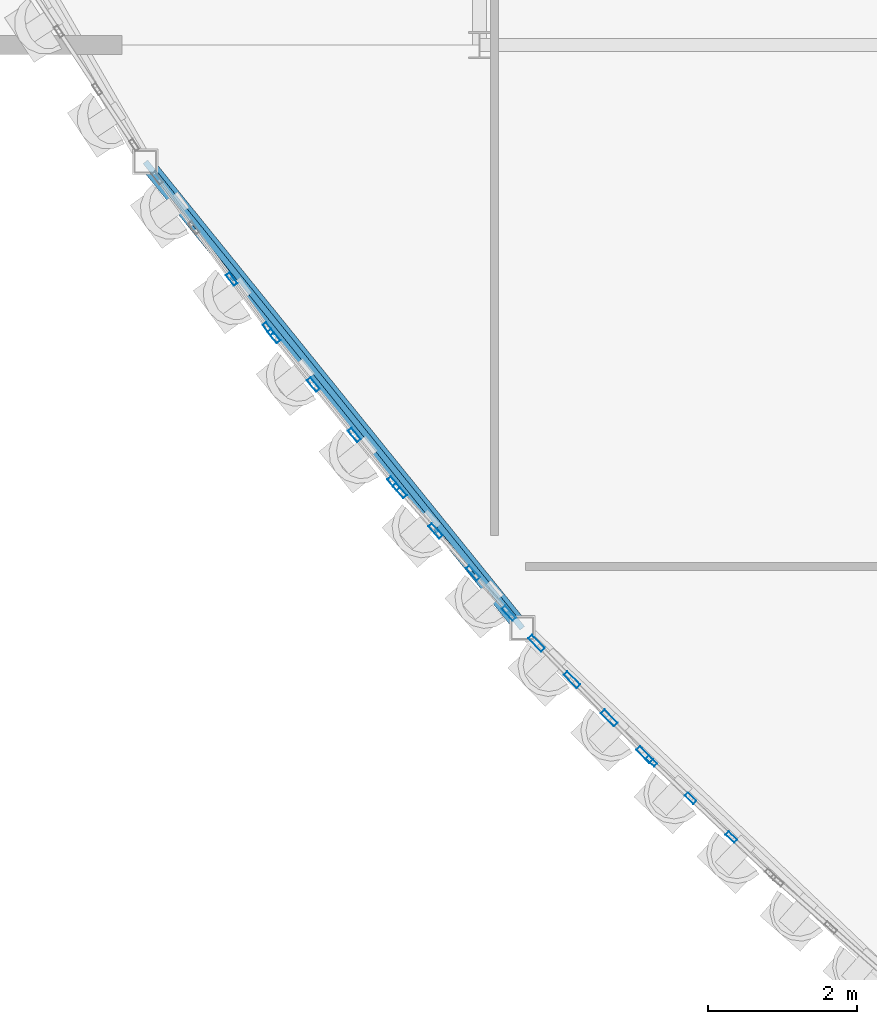
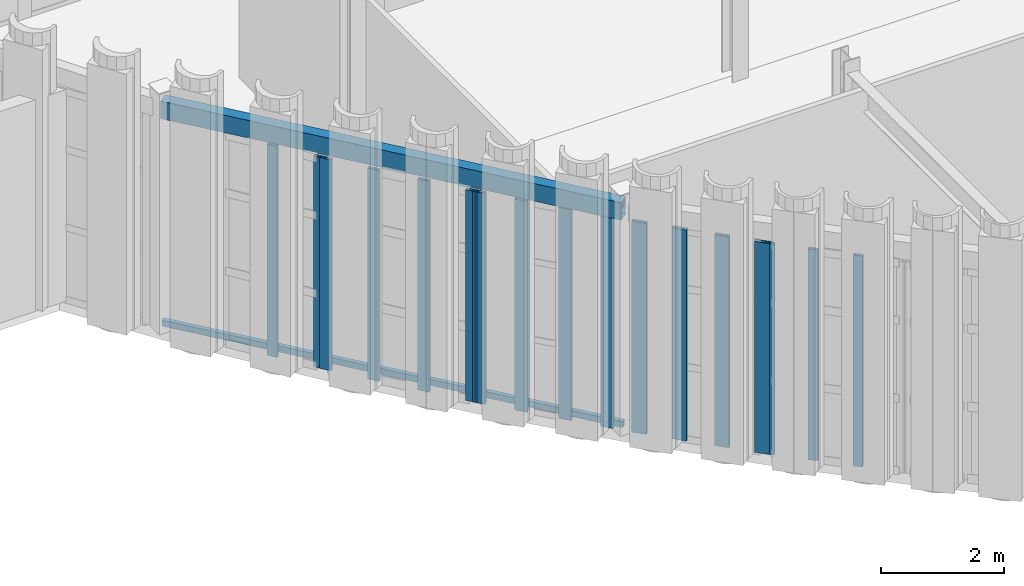
# One storey, part 21 of 126: 19 members, 1 beam, 5 elements without a shape of their own.
"""IFC4 building model written with IfcOpenShell, lengths in metres."""

import ifcopenshell
import ifcopenshell.guid

model = None  # the IFC model being written
_history = None  # IfcOwnerHistory: only IFC2X3 demands one
_inside = {}  # id of a spatial element -> (the spatial element, [elements in it])
_under = {}  # id of a project, library or spatial element -> (it, [spatial elements below it])
_declared = {}  # id of a project -> (the project, [libraries it declares])
_typed = {}  # id of a type object -> (the type object, [elements of that type])
_made_of = {}  # id of a material, layer set ... -> (it, [elements and type objects made of it])


def new_model(schema):
    """Start an empty IFC model of exactly this schema.

    Asked for "IFC4X3", IfcOpenShell would pick the latest addendum, in which some entities
    have other attributes; the version numbers below select the first issue.
    IFC2X3 requires an IfcOwnerHistory on every rooted entity: one is made here for all.
    """
    global model, _history
    if schema == "IFC4X3":
        model = ifcopenshell.file(schema_version=(4, 3, 0, 0))
    else:
        model = ifcopenshell.file(schema=schema)
    _inside.clear()
    _under.clear()
    _declared.clear()
    _typed.clear()
    _made_of.clear()
    _history = None
    if model.schema == "IFC2X3":
        org = make("IfcOrganization", Name="unknown")
        user = make(
            "IfcPersonAndOrganization",
            ThePerson=make("IfcPerson", FamilyName="unknown"),
            TheOrganization=org,
        )
        app = make(
            "IfcApplication",
            ApplicationDeveloper=org,
            Version="unknown",
            ApplicationFullName="unknown",
            ApplicationIdentifier="unknown",
        )
        _history = make(
            "IfcOwnerHistory",
            OwningUser=user,
            OwningApplication=app,
            ChangeAction="ADDED",
            CreationDate=0,
        )
    return model


def make(cls, **values):
    """One entity of the class cls with the attributes given. An attribute that is None is left unset."""
    return model.create_entity(
        cls, **{name: value for name, value in values.items() if value is not None}
    )


def rooted(cls, **values):
    """An entity with a GlobalId (a new one), such as an element, a storey or a relation."""
    return make(cls, GlobalId=ifcopenshell.guid.new(), OwnerHistory=_history, **values)


def si_unit(unit_type, name, prefix=None):
    """IfcSIUnit, for example si_unit("LENGTHUNIT", "METRE", prefix="MILLI")."""
    return make("IfcSIUnit", UnitType=unit_type, Prefix=prefix, Name=name)


def assignment(units):
    """IfcUnitAssignment: the units of a project."""
    return None if units is None else make("IfcUnitAssignment", Units=units)


def point(xyz):
    """IfcCartesianPoint."""
    return None if xyz is None else make("IfcCartesianPoint", Coordinates=xyz)


def direction(xyz):
    """IfcDirection."""
    return None if xyz is None else make("IfcDirection", DirectionRatios=xyz)


def frame(location, z_axis=None, x_axis=None):
    """IfcAxis2Placement3D, a coordinate frame: its origin and axes. An axis left out is left unset."""
    return make(
        "IfcAxis2Placement3D",
        Location=point(location),
        Axis=direction(z_axis),
        RefDirection=direction(x_axis),
    )


def frame_2d(location, x_axis=None):
    """IfcAxis2Placement2D, a coordinate frame in the plane: its origin and x axis."""
    return make(
        "IfcAxis2Placement2D", Location=point(location), RefDirection=direction(x_axis)
    )


def origin():
    """The frame at (0, 0, 0) with its axes left unset."""
    return frame((0.0, 0.0, 0.0))


def origin_2d():
    """The frame at (0, 0) in the plane with its x axis left unset."""
    return frame_2d((0.0, 0.0))


def place(relative_to, where):
    """IfcLocalPlacement: puts the frame where relative to a parent placement (None: the world)."""
    return make(
        "IfcLocalPlacement", PlacementRelTo=relative_to, RelativePlacement=where
    )


def context(
    kind, dimensions, precision=None, world=None, true_north=None, identifier=None
):
    """IfcGeometricRepresentationContext, for example the 3D "Model" context."""
    return make(
        "IfcGeometricRepresentationContext",
        ContextIdentifier=identifier,
        ContextType=kind,
        CoordinateSpaceDimension=dimensions,
        Precision=precision,
        WorldCoordinateSystem=world,
        TrueNorth=true_north,
    )


def subcontext(parent, identifier, kind, view, scale=None):
    """IfcGeometricRepresentationSubContext, for example "Body" below "Model"."""
    return make(
        "IfcGeometricRepresentationSubContext",
        ContextIdentifier=identifier,
        ContextType=kind,
        ParentContext=parent,
        TargetScale=scale,
        TargetView=view,
    )


def project(units=None, contexts=None):
    """IfcProject with its units and contexts."""
    return rooted(
        "IfcProject",
        Name="project",
        RepresentationContexts=contexts,
        UnitsInContext=assignment(units),
    )


def spatial(cls, under=None, at=None, **own):
    """A site, building, storey or space (cls), placed at a placement, below another one or the project."""
    s = rooted(cls, ObjectPlacement=at, **own)
    if under is not None:
        _under.setdefault(under.id(), (under, []))[1].append(s)
    return s


def profile(cls, at=None, kind="AREA", **sizes):
    """A parametric profile (cls). Its sizes go by their IFC names, for example OverallWidth=200.0."""
    return make(cls, ProfileType=kind, Position=at, **sizes)


def hollow_rectangle(**sizes):
    """IfcRectangleHollowProfileDef."""
    return profile("IfcRectangleHollowProfileDef", **sizes)


def extrude(swept, where, along, depth):
    """IfcExtrudedAreaSolid: the profile swept, set in the frame where, extruded along a direction by depth."""
    return make(
        "IfcExtrudedAreaSolid",
        SweptArea=swept,
        Position=where,
        ExtrudedDirection=direction(along),
        Depth=depth,
    )


def shape(context_of_items, identifier, shape_type, items):
    """IfcShapeRepresentation: the items that make up one representation, for example the "Body"."""
    return make(
        "IfcShapeRepresentation",
        ContextOfItems=context_of_items,
        RepresentationIdentifier=identifier,
        RepresentationType=shape_type,
        Items=items,
    )


def material(Name=None, Category=None):
    """IfcMaterial."""
    return make("IfcMaterial", Name=Name, Category=Category)


def layer(
    of_material, thickness, ventilated=None, Name=None, Category=None, Priority=None
):
    """IfcMaterialLayer: one layer of a wall or slab, of a material (None: an air gap)."""
    return make(
        "IfcMaterialLayer",
        Material=of_material,
        LayerThickness=thickness,
        IsVentilated=ventilated,
        Name=Name,
        Category=Category,
        Priority=Priority,
    )


def layer_set(layers, Name=None):
    """IfcMaterialLayerSet."""
    return make("IfcMaterialLayerSet", MaterialLayers=layers, LayerSetName=Name)


def material_profile(
    of_material, cross_section, Name=None, Category=None, Priority=None
):
    """IfcMaterialProfile: a cross section and its material."""
    return make(
        "IfcMaterialProfile",
        Name=Name,
        Material=of_material,
        Profile=cross_section,
        Priority=Priority,
        Category=Category,
    )


def profile_set(profiles, Name=None, composite=None):
    """IfcMaterialProfileSet."""
    return make(
        "IfcMaterialProfileSet",
        Name=Name,
        MaterialProfiles=profiles,
        CompositeProfile=composite,
    )


def made_of(thing, what):
    """Note that an element or type object is made of a material, layer set ...; save() writes the relation."""
    if what is not None:
        _made_of.setdefault(what.id(), (what, []))[1].append(thing)
    return thing


def type_object(cls, material=None, **own):
    """A type object (cls), such as IfcWallType, which elements share."""
    return made_of(rooted(cls, **own), material)


def element(
    cls,
    number,
    at=None,
    inside=None,
    cuts=None,
    type_object=None,
    material=None,
    context=None,
    identifier="Body",
    shape_type=None,
    held_by="IfcProductDefinitionShape",
    body=None,
    shapes=None,
    **own,
):
    """One element of the class cls, such as IfcWall. Its Tag is "e" and its number.

    at: its placement. inside: the storey or other place that contains it. cuts: it is an
    opening in that element (IfcRelVoidsElement). A single representation is given by context,
    identifier, shape_type and body (its items); several are given by shapes. held_by: the class
    of the entity that holds the representations. save() writes the other relations.
    """
    e = rooted(cls, Tag="e%d" % number, ObjectPlacement=at, **own)
    if body is not None:
        shapes = [shape(context, identifier, shape_type, body)]
    if shapes is not None:
        e.Representation = make(held_by, Representations=shapes)
    if inside is not None:
        _inside.setdefault(inside.id(), (inside, []))[1].append(e)
    if cuts is not None:
        rooted(
            "IfcRelVoidsElement", RelatingBuildingElement=cuts, RelatedOpeningElement=e
        )
    if type_object is not None:
        _typed.setdefault(type_object.id(), (type_object, []))[1].append(e)
    return made_of(e, material)


def aggregate(whole, parts):
    """IfcRelAggregates: a whole, such as a stair, and the parts it consists of."""
    return rooted("IfcRelAggregates", RelatingObject=whole, RelatedObjects=parts)


def save(model, path):
    """Write the relations noted so far, then the file.

    IfcRelAggregates (storeys below a building ...), IfcRelContainedInSpatialStructure (elements
    in a storey), IfcRelDefinesByType, IfcRelAssociatesMaterial and IfcRelDeclares: one each for
    every whole, place, type object, material and project.
    """
    for whole, parts in _under.values():
        aggregate(whole, parts)
    for where, things in _inside.values():
        rooted(
            "IfcRelContainedInSpatialStructure",
            RelatedElements=things,
            RelatingStructure=where,
        )
    for kind, things in _typed.values():
        rooted("IfcRelDefinesByType", RelatedObjects=things, RelatingType=kind)
    for what, things in _made_of.values():
        rooted("IfcRelAssociatesMaterial", RelatedObjects=things, RelatingMaterial=what)
    for by, libraries in _declared.values():
        rooted("IfcRelDeclares", RelatingContext=by, RelatedDefinitions=libraries)
    model.write(path)


model = new_model("IFC4")

# Units and contexts
model_context = context("Model", 3, precision=1e-05, world=origin(), true_north=direction((0.0, 1.0)))
body_context = subcontext(model_context, "Body", "Model", "MODEL_VIEW")
ifc_project = project(units=[si_unit("LENGTHUNIT", "METRE"), si_unit("AREAUNIT", "SQUARE_METRE"), si_unit("VOLUMEUNIT", "CUBIC_METRE"), si_unit("PLANEANGLEUNIT", "RADIAN"), si_unit("MASSUNIT", "GRAM", prefix="KILO")], contexts=[model_context])

# Site, building, storey
site_placement = place(None, origin())
site = spatial("IfcSite", under=ifc_project, at=site_placement, CompositionType="ELEMENT")
building_placement = place(site_placement, origin())
building = spatial("IfcBuilding", under=site, at=building_placement, Name="Solvadek Multi-Sports Hall", CompositionType="ELEMENT")
storey_placement = place(building_placement, frame((0.0, 0.0, 9.60009765625)))
storey = spatial("IfcBuildingStorey", under=building, at=storey_placement, Name="L02", CompositionType="ELEMENT", Elevation=9.60009765625)

# Curtain wall, members
ifc_material_1 = material(Name="Anodised aluminium", Category="aluminium")
ifc_layer_1 = layer(ifc_material_1, 0.159912109375, Name="Anodised aluminium")
ifc_layer_set_1 = layer_set([ifc_layer_1], Name="Anodised aluminium")
curtain_wall_type_1 = type_object("IfcCurtainWallType", Name="ENV-CW-227X420", PredefinedType="USERDEFINED", material=ifc_layer_set_1)
curtain_wall_1_placement = place(storey_placement, origin())
curtain_wall_1 = element("IfcCurtainWall", 1, at=curtain_wall_1_placement, inside=storey, type_object=curtain_wall_type_1, Name="L02 Crescent Curved Curtain Wall #16", ObjectType="CURTAIN WALL", PredefinedType="USERDEFINED")
ifc_material_profile_1 = material_profile(ifc_material_1, hollow_rectangle(XDim=0.06005859375, YDim=0.159912109375, WallThickness=0.00390625, at=origin_2d()), Name="ALU-M 160x60x4")
ifc_profile_set_1 = profile_set([ifc_material_profile_1], Name="Anodised aluminium")
member_type_1 = type_object("IfcMemberType", Name="ENV-CWM-01", PredefinedType="MULLION", material=ifc_profile_set_1)
member_1_placement = place(storey_placement, frame((38.30615234375, 3.58984375, 0.0), z_axis=(0.0, 0.0, 1.0), x_axis=(0.688997456224, 0.724763758281, 0.0)))
member_1 = element("IfcMember", 2, at=member_1_placement, type_object=member_type_1, Name="CW-06 mullion 1", PredefinedType="MULLION", context=body_context, shape_type="SweptSolid", body=[
    extrude(hollow_rectangle(XDim=0.06005859375, YDim=0.159912109375, WallThickness=0.00390625, at=origin_2d()), origin(), (0.0, 0.0, 1.0), 4.199951171875),
])
member_2_placement = place(storey_placement, frame((38.832275390625, 3.08984375, 0.0), z_axis=(0.0, 0.0, 1.0), x_axis=(0.688997456224, 0.724763758281, 0.0)))
member_2 = element("IfcMember", 3, at=member_2_placement, type_object=member_type_1, Name="CW-06 mullion 2", PredefinedType="MULLION", context=body_context, shape_type="SweptSolid", body=[
    extrude(hollow_rectangle(XDim=0.06005859375, YDim=0.159912109375, WallThickness=0.00390625, at=origin_2d()), origin(), (0.0, 0.0, 1.0), 4.199951171875),
])
member_3_placement = place(storey_placement, frame((39.3798828125, 2.56884765625, 0.0), z_axis=(0.0, 0.0, 1.0), x_axis=(0.688997456224, 0.724763758281, 0.0)))
member_3 = element("IfcMember", 4, at=member_3_placement, type_object=member_type_1, Name="CW-06 mullion 3", PredefinedType="MULLION", context=body_context, shape_type="SweptSolid", body=[
    extrude(hollow_rectangle(XDim=0.06005859375, YDim=0.159912109375, WallThickness=0.00390625, at=origin_2d()), origin(), (0.0, 0.0, 1.0), 4.199951171875),
])
aggregate(curtain_wall_1, [member_1, member_2, member_3])

ifc_layer_2 = layer(ifc_material_1, 0.159912109375, Name="Anodised aluminium")
ifc_layer_set_2 = layer_set([ifc_layer_2], Name="Anodised aluminium")
curtain_wall_type_2 = type_object("IfcCurtainWallType", Name="ENV-CW-257X420", PredefinedType="USERDEFINED", material=ifc_layer_set_2)
curtain_wall_2_placement = place(storey_placement, origin())
curtain_wall_2 = element("IfcCurtainWall", 5, at=curtain_wall_2_placement, inside=storey, type_object=curtain_wall_type_2, Name="L02 Crescent Curved Curtain Wall #8", ObjectType="CURTAIN WALL", PredefinedType="USERDEFINED")
ifc_material_profile_2 = material_profile(ifc_material_1, hollow_rectangle(XDim=0.06005859375, YDim=0.179931640625, WallThickness=0.00390625, at=origin_2d()), Name="ALU-M 180x60x4")
ifc_profile_set_2 = profile_set([ifc_material_profile_2], Name="Anodised aluminium")
member_type_2 = type_object("IfcMemberType", Name="ENV-CWM-02", PredefinedType="MULLION", material=ifc_profile_set_2)
member_4_placement = place(storey_placement, frame((32.67529296875, 10.0576171875, 0.0), z_axis=(0.0, 0.0, 1.0), x_axis=(0.805090014572, 0.593152651883, 0.0)))
member_4 = element("IfcMember", 6, at=member_4_placement, type_object=member_type_2, Name="CW-04 mullion 3", PredefinedType="MULLION", context=body_context, shape_type="SweptSolid", body=[
    extrude(hollow_rectangle(XDim=0.06005859375, YDim=0.179931640625, WallThickness=0.00390625, at=origin_2d()), origin(), (0.0, 0.0, 1.0), 4.199951171875),
])
member_5_placement = place(storey_placement, frame((33.16650390625, 9.39111328125, 0.0), z_axis=(0.0, 0.0, 1.0), x_axis=(0.805090014572, 0.593152651883, 0.0)))
member_5 = element("IfcMember", 7, at=member_5_placement, type_object=member_type_2, Name="CW-04 mullion 4", PredefinedType="MULLION", context=body_context, shape_type="SweptSolid", body=[
    extrude(hollow_rectangle(XDim=0.06005859375, YDim=0.179931640625, WallThickness=0.00390625, at=origin_2d()), origin(), (0.0, 0.0, 1.0), 4.199951171875),
])
aggregate(curtain_wall_2, [member_4, member_5])

ifc_layer_3 = layer(ifc_material_1, 0.159912109375, Name="Anodised aluminium")
ifc_layer_set_3 = layer_set([ifc_layer_3], Name="Anodised aluminium")
curtain_wall_type_3 = type_object("IfcCurtainWallType", Name="ENV-CW-261X420", PredefinedType="USERDEFINED", material=ifc_layer_set_3)
curtain_wall_3_placement = place(storey_placement, origin())
curtain_wall_3 = element("IfcCurtainWall", 8, at=curtain_wall_3_placement, inside=storey, type_object=curtain_wall_type_3, Name="L02 Crescent Curved Curtain Wall #10", ObjectType="CURTAIN WALL", PredefinedType="USERDEFINED")
ifc_material_profile_3 = material_profile(ifc_material_1, hollow_rectangle(XDim=0.06494140625, YDim=0.199951171875, WallThickness=0.0048828125, at=origin_2d()), Name="ALU-M 200x65x5")
ifc_profile_set_3 = profile_set([ifc_material_profile_3], Name="Anodised aluminium")
member_type_3 = type_object("IfcMemberType", Name="ENV-CWM-03", PredefinedType="MULLION", material=ifc_profile_set_3)
member_6_placement = place(storey_placement, frame((33.241455078125, 9.294189453125, 0.0), z_axis=(0.0, 0.0, 1.0), x_axis=(0.77603209995, 0.630693411926, 0.0)))
member_6 = element("IfcMember", 9, at=member_6_placement, type_object=member_type_3, Name="CW-05 mullion 1", PredefinedType="MULLION", context=body_context, shape_type="SweptSolid", body=[
    extrude(hollow_rectangle(XDim=0.06494140625, YDim=0.199951171875, WallThickness=0.0048828125, at=origin_2d()), origin(), (0.0, 0.0, 1.0), 4.199951171875),
])
member_7_placement = place(storey_placement, frame((33.770751953125, 8.64306640625, 0.0), z_axis=(0.0, 0.0, 1.0), x_axis=(0.77603209995, 0.630693411926, 0.0)))
member_7 = element("IfcMember", 10, at=member_7_placement, type_object=member_type_3, Name="CW-05 mullion 2", PredefinedType="MULLION", context=body_context, shape_type="SweptSolid", body=[
    extrude(hollow_rectangle(XDim=0.06494140625, YDim=0.199951171875, WallThickness=0.0048828125, at=origin_2d()), origin(), (0.0, 0.0, 1.0), 4.199951171875),
])
member_8_placement = place(storey_placement, frame((34.3203125, 7.966796875, 0.0), z_axis=(0.0, 0.0, 1.0), x_axis=(0.77603209995, 0.630693411926, 0.0)))
member_8 = element("IfcMember", 11, at=member_8_placement, type_object=member_type_3, Name="CW-05 mullion 3", PredefinedType="MULLION", context=body_context, shape_type="SweptSolid", body=[
    extrude(hollow_rectangle(XDim=0.06494140625, YDim=0.199951171875, WallThickness=0.0048828125, at=origin_2d()), origin(), (0.0, 0.0, 1.0), 4.199951171875),
])
member_9_placement = place(storey_placement, frame((34.849609375, 7.315673828125, 0.0), z_axis=(0.0, 0.0, 1.0), x_axis=(0.77603209995, 0.630693411926, 0.0)))
member_9 = element("IfcMember", 12, at=member_9_placement, type_object=member_type_3, Name="CW-05 mullion 4", PredefinedType="MULLION", context=body_context, shape_type="SweptSolid", body=[
    extrude(hollow_rectangle(XDim=0.06494140625, YDim=0.199951171875, WallThickness=0.0048828125, at=origin_2d()), origin(), (0.0, 0.0, 1.0), 4.199951171875),
])
aggregate(curtain_wall_3, [member_6, member_7, member_8, member_9])

curtain_wall_4_placement = place(storey_placement, origin())
curtain_wall_4 = element("IfcCurtainWall", 13, at=curtain_wall_4_placement, inside=storey, type_object=curtain_wall_type_1, Name="L02 Crescent Curved Curtain Wall #12", ObjectType="CURTAIN WALL", PredefinedType="USERDEFINED")
ifc_material_profile_4 = material_profile(ifc_material_1, hollow_rectangle(XDim=0.06494140625, YDim=0.219970703125, WallThickness=0.0048828125, at=origin_2d()), Name="ALU-M 220x65x5")
ifc_profile_set_4 = profile_set([ifc_material_profile_4], Name="Anodised aluminium")
member_type_4 = type_object("IfcMemberType", Name="ENV-CWM-04", PredefinedType="MULLION", material=ifc_profile_set_4)
member_10_placement = place(storey_placement, frame((34.930419921875, 7.220458984375, 0.0), z_axis=(0.0, 0.0, 1.0), x_axis=(0.747032078301, 0.664787991761, 0.0)))
member_10 = element("IfcMember", 14, at=member_10_placement, type_object=member_type_4, Name="CW-06 mullion 1", PredefinedType="MULLION", context=body_context, shape_type="SweptSolid", body=[
    extrude(hollow_rectangle(XDim=0.06494140625, YDim=0.219970703125, WallThickness=0.0048828125, at=origin_2d()), origin(), (0.0, 0.0, 1.0), 4.199951171875),
])
member_11_placement = place(storey_placement, frame((35.411376953125, 6.68017578125, 0.0), z_axis=(0.0, 0.0, 1.0), x_axis=(0.747032078301, 0.664787991761, 0.0)))
member_11 = element("IfcMember", 15, at=member_11_placement, type_object=member_type_4, Name="CW-06 mullion 2", PredefinedType="MULLION", context=body_context, shape_type="SweptSolid", body=[
    extrude(hollow_rectangle(XDim=0.06494140625, YDim=0.219970703125, WallThickness=0.0048828125, at=origin_2d()), origin(), (0.0, 0.0, 1.0), 4.199951171875),
])
member_12_placement = place(storey_placement, frame((35.913818359375, 6.115478515625, 0.0), z_axis=(0.0, 0.0, 1.0), x_axis=(0.747032078301, 0.664787991761, 0.0)))
member_12 = element("IfcMember", 16, at=member_12_placement, type_object=member_type_4, Name="CW-06 mullion 3", PredefinedType="MULLION", context=body_context, shape_type="SweptSolid", body=[
    extrude(hollow_rectangle(XDim=0.06494140625, YDim=0.219970703125, WallThickness=0.0048828125, at=origin_2d()), origin(), (0.0, 0.0, 1.0), 4.199951171875),
])
member_13_placement = place(storey_placement, frame((36.394775390625, 5.5751953125, 0.0), z_axis=(0.0, 0.0, 1.0), x_axis=(0.747032078301, 0.664787991761, 0.0)))
member_13 = element("IfcMember", 17, at=member_13_placement, type_object=member_type_4, Name="CW-06 mullion 4", PredefinedType="MULLION", context=body_context, shape_type="SweptSolid", body=[
    extrude(hollow_rectangle(XDim=0.06494140625, YDim=0.219970703125, WallThickness=0.0048828125, at=origin_2d()), origin(), (0.0, 0.0, 1.0), 4.199951171875),
])
aggregate(curtain_wall_4, [member_10, member_11, member_12, member_13])

ifc_layer_4 = layer(ifc_material_1, 0.159912109375, Name="Anodised aluminium")
ifc_layer_set_4 = layer_set([ifc_layer_4], Name="Anodised aluminium")
curtain_wall_type_4 = type_object("IfcCurtainWallType", Name="ENV-CW-215X420", PredefinedType="USERDEFINED", material=ifc_layer_set_4)
curtain_wall_5_placement = place(storey_placement, origin())
curtain_wall_5 = element("IfcCurtainWall", 18, at=curtain_wall_5_placement, inside=storey, type_object=curtain_wall_type_4, Name="L02 Crescent Curved Curtain Wall #14", ObjectType="CURTAIN WALL", PredefinedType="USERDEFINED")
ifc_material_profile_5 = material_profile(ifc_material_1, hollow_rectangle(XDim=0.070068359375, YDim=0.25, WallThickness=0.0048828125, at=origin_2d()), Name="ALU-M 250x70x5")
ifc_profile_set_5 = profile_set([ifc_material_profile_5], Name="Anodised aluminium")
member_type_5 = type_object("IfcMemberType", Name="ENV-CWM-05", PredefinedType="MULLION", material=ifc_profile_set_5)
member_14_placement = place(storey_placement, frame((36.76708984375, 5.174072265625, 0.0), z_axis=(0.0, 0.0, 1.0), x_axis=(0.718048040871, 0.695993542356, 0.0)))
member_14 = element("IfcMember", 19, at=member_14_placement, type_object=member_type_5, Name="CW-07 mullion 1", PredefinedType="MULLION", context=body_context, shape_type="SweptSolid", body=[
    extrude(hollow_rectangle(XDim=0.070068359375, YDim=0.25, WallThickness=0.0048828125, at=origin_2d()), origin(), (0.0, 0.0, 1.0), 4.199951171875),
])
member_15_placement = place(storey_placement, frame((37.242431640625, 4.68359375, 0.0), z_axis=(0.0, 0.0, 1.0), x_axis=(0.718048040871, 0.695993542356, 0.0)))
member_15 = element("IfcMember", 20, at=member_15_placement, type_object=member_type_5, Name="CW-07 mullion 2", PredefinedType="MULLION", context=body_context, shape_type="SweptSolid", body=[
    extrude(hollow_rectangle(XDim=0.070068359375, YDim=0.25, WallThickness=0.0048828125, at=origin_2d()), origin(), (0.0, 0.0, 1.0), 4.199951171875),
])
member_16_placement = place(storey_placement, frame((37.7421875, 4.168212890625, 0.0), z_axis=(0.0, 0.0, 1.0), x_axis=(0.718048040871, 0.695993542356, 0.0)))
member_16 = element("IfcMember", 21, at=member_16_placement, type_object=member_type_5, Name="CW-07 mullion 3", PredefinedType="MULLION", context=body_context, shape_type="SweptSolid", body=[
    extrude(hollow_rectangle(XDim=0.070068359375, YDim=0.25, WallThickness=0.0048828125, at=origin_2d()), origin(), (0.0, 0.0, 1.0), 4.199951171875),
])
member_17_placement = place(storey_placement, frame((38.217529296875, 3.677734375, 0.0), z_axis=(0.0, 0.0, 1.0), x_axis=(0.718048040871, 0.695993542356, 0.0)))
member_17 = element("IfcMember", 22, at=member_17_placement, type_object=member_type_5, Name="CW-07 mullion 4", PredefinedType="MULLION", context=body_context, shape_type="SweptSolid", body=[
    extrude(hollow_rectangle(XDim=0.070068359375, YDim=0.25, WallThickness=0.0048828125, at=origin_2d()), origin(), (0.0, 0.0, 1.0), 4.199951171875),
])
aggregate(curtain_wall_5, [member_14, member_15, member_16, member_17])

# Beam
ifc_material_2 = material(Name="Steel E350 (350 MPa)", Category="steel")
ifc_material_profile_6 = material_profile(ifc_material_2, hollow_rectangle(XDim=0.199951171875, YDim=0.35009765625, WallThickness=0.011962890625, at=origin_2d()), Name="RHS 350x200x12")
ifc_profile_set_6 = profile_set([ifc_material_profile_6], Name="Steel E350 (350 MPa)")
beam_type = type_object("IfcBeamType", Name="STR-SPN-RHS350", PredefinedType="SPANDREL", material=ifc_profile_set_6)
beam_placement = place(storey_placement, frame((31.51513671875, 11.63232421875, 4.40478515625), z_axis=(0.628622254602, -0.777710782373, 0.0), x_axis=(0.777710782373, 0.628622254602, 0.0)))
element("IfcBeam", 23, at=beam_placement, inside=storey, type_object=beam_type, Name="L02 Curved Crescent Spandrel #59", PredefinedType="SPANDREL", context=body_context, shape_type="SweptSolid", body=[
    extrude(hollow_rectangle(XDim=0.199951171875, YDim=0.35009765625, WallThickness=0.011962890625, at=origin_2d()), origin(), (0.0, 0.0, 1.0), 8.05029296875),
])

# Members
ifc_material_3 = material(Name="Steel E250 (250 MPa)", Category="steel")
ifc_material_profile_7 = material_profile(ifc_material_3, hollow_rectangle(XDim=0.080078125, YDim=0.1201171875, WallThickness=0.006103515625, at=origin_2d()), Name="RHS 120x80x6")
ifc_profile_set_7 = profile_set([ifc_material_profile_7], Name="Steel E250 (250 MPa)")
member_type_6 = type_object("IfcMemberType", Name="STR-STD-RHS120", PredefinedType="STUD", material=ifc_profile_set_7)
for number, where, z_axis, x_axis, name in (
    (24, (31.51513671875, 11.63232421875, 0.119873046875), (0.628622254602, -0.777710782373, 0.0), (0.777710782373, 0.628622254602, 0.0), "L02 Flute Subframe Rail W-2 bot"),
    (25, (31.51513671875, 11.63232421875, 4.5), (0.628622254602, -0.777710782373, 0.0), (0.777710782373, 0.628622254602, 0.0), "L02 Flute Subframe Rail W-2 top"),
):
    element("IfcMember", number, at=place(storey_placement, frame(where, z_axis=z_axis, x_axis=x_axis)), inside=storey, type_object=member_type_6, Name=name, PredefinedType="STUD", context=body_context, shape_type="SweptSolid", body=[
        extrude(hollow_rectangle(XDim=0.080078125, YDim=0.1201171875, WallThickness=0.006103515625, at=origin_2d()), origin(), (0.0, 0.0, 1.0), 8.05029296875),
    ])

save(model, "model.ifc")
